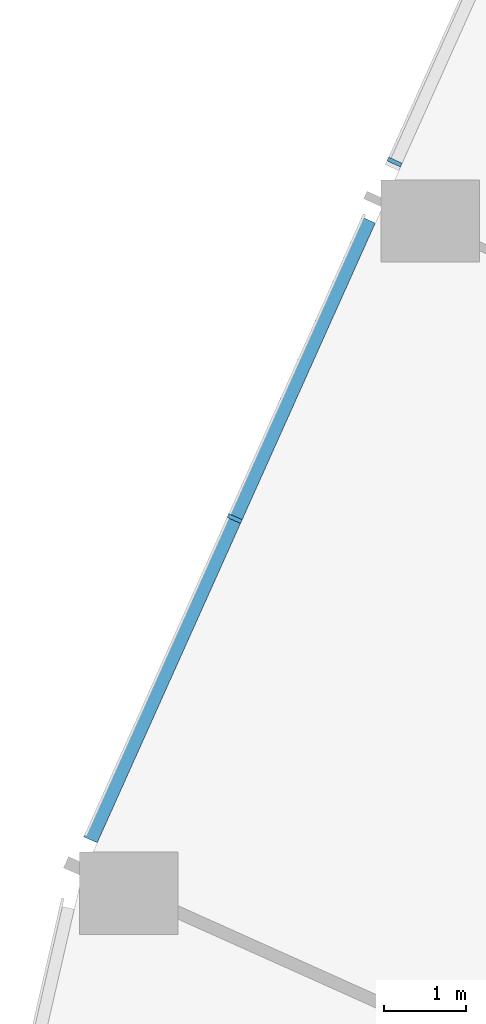
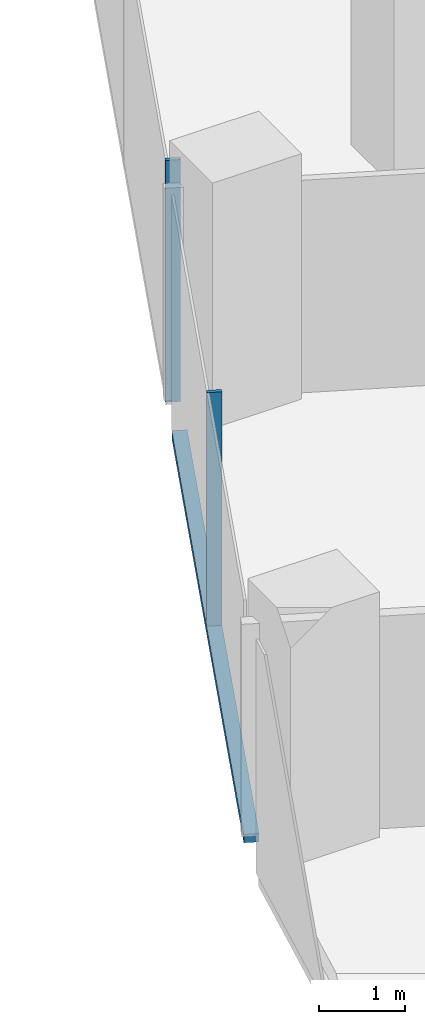
# One storey, part 4 of 34: 3 members, 1 element without a shape of its own.
"""IFC4 building model written with IfcOpenShell, lengths in metres."""

from ifc_helpers import new_model, si_unit, direction, frame, origin, origin_2d, place, context, subcontext, project, spatial, rectangle, extrude, material, material_profile, profile_set, type_object, element, aggregate, save


model = new_model("IFC4")

# Units and contexts
model_context = context("Model", 3, precision=1e-05, world=origin(), true_north=direction((0.0, 1.0)))
body_context = subcontext(model_context, "Body", "Model", "MODEL_VIEW")
ifc_project = project(units=[si_unit("LENGTHUNIT", "METRE"), si_unit("AREAUNIT", "SQUARE_METRE"), si_unit("VOLUMEUNIT", "CUBIC_METRE"), si_unit("PLANEANGLEUNIT", "RADIAN"), si_unit("MASSUNIT", "GRAM", prefix="KILO")], contexts=[model_context])

# Site, building, storey
site_placement = place(None, origin())
site = spatial("IfcSite", under=ifc_project, at=site_placement, CompositionType="ELEMENT")
building_placement = place(site_placement, origin())
building = spatial("IfcBuilding", under=site, at=building_placement, Name="Orlundy Tower", CompositionType="ELEMENT")
storey_placement = place(building_placement, frame((0.0, 0.0, 137.699951171875)))
storey = spatial("IfcBuildingStorey", under=building, at=storey_placement, Name="L35", CompositionType="ELEMENT", Elevation=137.699951171875)

# Curtain wall, members
ifc_material_1 = material(Name="Aluminium bronze anodised", Category="aluminium")
curtain_wall_type = type_object("IfcCurtainWallType", Name="CW1 wall", PredefinedType="NOTDEFINED", material=ifc_material_1)
curtain_wall_placement = place(storey_placement, origin())
curtain_wall = element("IfcCurtainWall", 1, at=curtain_wall_placement, inside=storey, type_object=curtain_wall_type, Name="CW1 run 00", PredefinedType="NOTDEFINED")
ifc_material_2 = material(Name="Aluminium bronze anodised", Category="aluminium")
ifc_material_profile_1 = material_profile(ifc_material_2, rectangle(XDim=0.179931640625, YDim=0.050048828125, at=origin_2d()), Name="CW1 mullion 50x180")
ifc_profile_set_1 = profile_set([ifc_material_profile_1], Name="Aluminium bronze anodised")
member_type_1 = type_object("IfcMemberType", Name="CW1 mullion 50x180", PredefinedType="MULLION", material=ifc_profile_set_1)
member_1_placement = place(storey_placement, frame((-37.26123046875, -33.966552734375, -0.39990234375), z_axis=(0.0, 0.0, 1.0), x_axis=(-0.912353169834, 0.409404071174, 0.0)))
member_1 = element("IfcMember", 2, at=member_1_placement, type_object=member_type_1, Name="CW1 mullion 2", PredefinedType="MULLION", context=body_context, shape_type="SweptSolid", body=[
    extrude(rectangle(XDim=0.179931640625, YDim=0.050048828125, at=origin_2d()), origin(), (0.0, 0.0, 1.0), 3.449951171875),
])
member_2_placement = place(storey_placement, frame((-35.314453125, -29.628173828125, -0.39990234375), z_axis=(0.0, 0.0, 1.0), x_axis=(-0.912353169834, 0.409404071174, 0.0)))
member_2 = element("IfcMember", 3, at=member_2_placement, type_object=member_type_1, Name="CW1 mullion 3", PredefinedType="MULLION", context=body_context, shape_type="SweptSolid", body=[
    extrude(rectangle(XDim=0.179931640625, YDim=0.050048828125, at=origin_2d()), origin(), (0.0, 0.0, 1.0), 3.449951171875),
])
ifc_material_3 = material(Name="Aluminium bronze anodised", Category="aluminium")
ifc_material_profile_2 = material_profile(ifc_material_3, rectangle(XDim=0.179931640625, YDim=0.1201171875, at=origin_2d()), Name="CW1 transom 180x120")
ifc_profile_set_2 = profile_set([ifc_material_profile_2], Name="Aluminium bronze anodised")
member_type_2 = type_object("IfcMemberType", Name="CW1 transom 180x120", PredefinedType="USERDEFINED", material=ifc_profile_set_2)
member_3_placement = place(storey_placement, frame((-39.015869140625, -37.876953125, -0.33984375), z_axis=(0.409379753605, 0.91236408157, 0.0), x_axis=(-0.91236408157, 0.409379753605, 0.0)))
member_3 = element("IfcMember", 4, at=member_3_placement, type_object=member_type_2, Name="CW1 transom", ObjectType="TRANSOM", PredefinedType="USERDEFINED", context=body_context, shape_type="SweptSolid", body=[
    extrude(rectangle(XDim=0.179931640625, YDim=0.1201171875, at=origin_2d()), origin(), (0.0, 0.0, 1.0), 8.26806640625),
])
aggregate(curtain_wall, [member_1, member_2, member_3])

save(model, "model.ifc")
